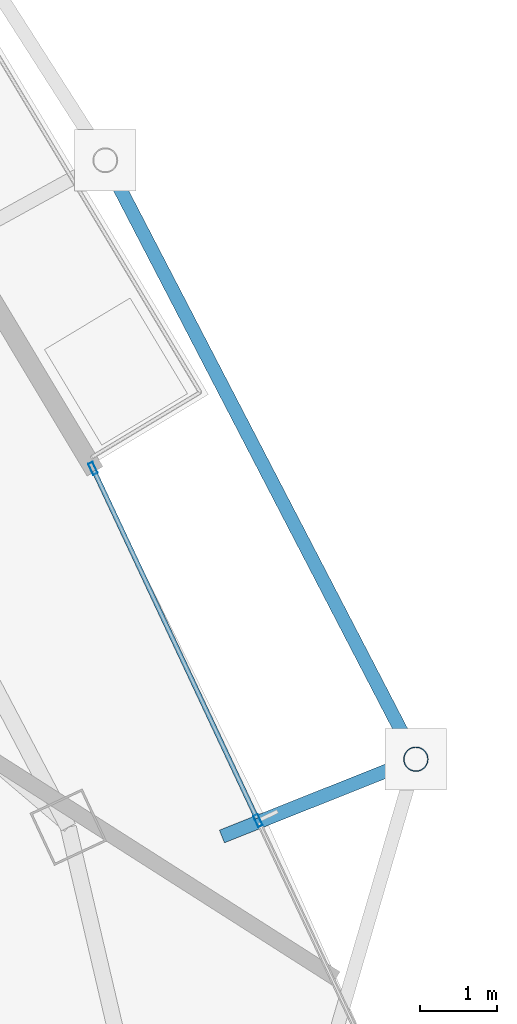
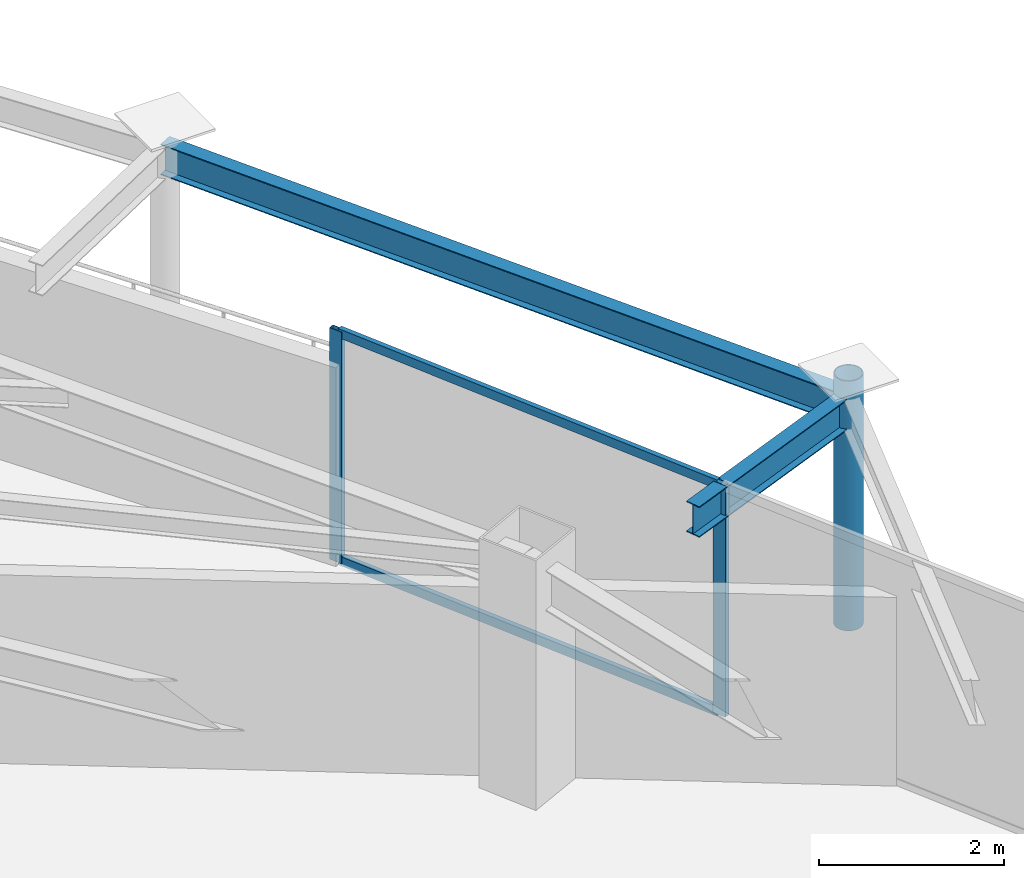
# One storey, part 20 of 33: 5 members, 2 beams, 1 element without a shape of its own.
"""IFC4 building model written with IfcOpenShell, lengths in metres."""

from ifc_helpers import new_model, si_unit, direction, frame, origin, origin_2d, place, context, subcontext, project, spatial, hollow_rectangle, hollow_circle, i_section, extrude, material, layer, layer_set, material_profile, profile_set, type_object, element, aggregate, save


model = new_model("IFC4")

# Units and contexts
model_context = context("Model", 3, precision=1e-05, world=origin(), true_north=direction((0.0, 1.0)))
body_context = subcontext(model_context, "Body", "Model", "MODEL_VIEW")
ifc_project = project(units=[si_unit("LENGTHUNIT", "METRE"), si_unit("AREAUNIT", "SQUARE_METRE"), si_unit("VOLUMEUNIT", "CUBIC_METRE"), si_unit("PLANEANGLEUNIT", "RADIAN"), si_unit("MASSUNIT", "GRAM", prefix="KILO")], contexts=[model_context])

# Site, building, storey
site_placement = place(None, origin())
site = spatial("IfcSite", under=ifc_project, at=site_placement, CompositionType="ELEMENT")
building_placement = place(site_placement, origin())
building = spatial("IfcBuilding", under=site, at=building_placement, Name="Orvanel Arch Residences", CompositionType="ELEMENT")
storey_placement = place(building_placement, frame((0.0, 0.0, 212.89990234375)))
storey = spatial("IfcBuildingStorey", under=building, at=storey_placement, Name="L60", CompositionType="ELEMENT", Elevation=212.89990234375)

# Curtain wall, members
ifc_material_1 = material(Name="Bronze-anodised aluminium AA6063-T6", Category="aluminium")
ifc_layer = layer(ifc_material_1, 0.175048828125)
ifc_layer_set = layer_set([ifc_layer], Name="Bronze-anodised aluminium AA6063-T6")
curtain_wall_type = type_object("IfcCurtainWallType", Name="CW4-HI-SYS", PredefinedType="NOTDEFINED", material=ifc_layer_set)
curtain_wall_placement = place(storey_placement, origin())
curtain_wall = element("IfcCurtainWall", 1, at=curtain_wall_placement, inside=storey, type_object=curtain_wall_type, Name="L60 CW4-HI-SYS Unitised Curtain Wall", PredefinedType="NOTDEFINED")
ifc_material_profile_1 = material_profile(ifc_material_1, hollow_rectangle(XDim=0.06494140625, YDim=0.159912109375, WallThickness=0.00390625, at=origin_2d()), Name="ALU160x65x4")
ifc_profile_set_1 = profile_set([ifc_material_profile_1], Name="Bronze-anodised aluminium AA6063-T6")
member_type_1 = type_object("IfcMemberType", Name="MUL-160x65", PredefinedType="MULLION", material=ifc_profile_set_1)
member_1_placement = place(storey_placement, frame((52.10205078125, 19.7275390625, 0.0), z_axis=(0.0, 0.0, 1.0), x_axis=(-0.905502538529, -0.424340844978, 0.0)))
member_1 = element("IfcMember", 2, at=member_1_placement, type_object=member_type_1, Name="CW-S4 mullion 2", PredefinedType="MULLION", context=body_context, shape_type="SweptSolid", body=[
    extrude(hollow_rectangle(XDim=0.06494140625, YDim=0.159912109375, WallThickness=0.00390625, at=origin_2d()), origin(), (0.0, 0.0, 1.0), 3.06005859375),
])
member_2_placement = place(storey_placement, frame((49.953857421875, 24.3115234375, 0.0), z_axis=(0.0, 0.0, 1.0), x_axis=(-0.905502538529, -0.424340844978, 0.0)))
member_2 = element("IfcMember", 3, at=member_2_placement, type_object=member_type_1, Name="CW-S4 mullion 3", PredefinedType="MULLION", context=body_context, shape_type="SweptSolid", body=[
    extrude(hollow_rectangle(XDim=0.06494140625, YDim=0.159912109375, WallThickness=0.00390625, at=origin_2d()), origin(), (0.0, 0.0, 1.0), 3.06005859375),
])

# Beams
ifc_material_2 = material(Name="Structural steel AS/NZS 3679.1 Grade 300 (300 MPa)", Category="steel")
ifc_material_profile_2 = material_profile(ifc_material_2, i_section(OverallWidth=0.177978515625, OverallDepth=0.406005859375, WebThickness=0.0078125, FlangeThickness=0.0126953125, at=origin_2d()), Name="410UB59.7")
ifc_profile_set_2 = profile_set([ifc_material_profile_2], Name="Structural steel AS/NZS 3679.1 Grade 300 (300 MPa)")
beam_type = type_object("IfcBeamType", Name="OB-410UB-EXT", PredefinedType="SPANDREL", material=ifc_profile_set_2)
beam_1_placement = place(storey_placement, frame((51.632080078125, 19.52099609375, 2.857177734375), z_axis=(0.928965273599, 0.370166881889, 0.0), x_axis=(-0.370166881889, 0.928965273599, 0.0)))
element("IfcBeam", 4, at=beam_1_placement, inside=storey, type_object=beam_type, Name="L60 Outer Frame Radial Tie Beam 09", PredefinedType="SPANDREL", context=body_context, shape_type="SweptSolid", body=[
    extrude(i_section(OverallWidth=0.177978515625, OverallDepth=0.406005859375, WebThickness=0.0078125, FlangeThickness=0.0126953125, at=origin_2d()), origin(), (0.0, 0.0, 1.0), 2.718017578125),
])
beam_2_placement = place(storey_placement, frame((54.156982421875, 20.527099609375, 2.857177734375), z_axis=(-0.460333396268, 0.887746114765, 0.0), x_axis=(-0.887746114765, -0.460333396268, 0.0)))
element("IfcBeam", 5, at=beam_2_placement, inside=storey, type_object=beam_type, Name="L60 Outer Perimeter Floor Ring Beam 09", PredefinedType="SPANDREL", context=body_context, shape_type="SweptSolid", body=[
    extrude(i_section(OverallWidth=0.177978515625, OverallDepth=0.406005859375, WebThickness=0.0078125, FlangeThickness=0.0126953125, at=origin_2d()), origin(), (0.0, 0.0, 1.0), 8.780517578125),
])

# Member
ifc_material_3 = material(Name="Structural steel AS/NZS 1163 C350L0 (Grade 350)", Category="steel")
ifc_material_profile_3 = material_profile(ifc_material_3, hollow_circle(Radius=0.162109375, WallThickness=0.0126953125, at=origin_2d()), Name="CHS324x12.7")
ifc_profile_set_3 = profile_set([ifc_material_profile_3], Name="Structural steel AS/NZS 1163 C350L0 (Grade 350)")
member_type_2 = type_object("IfcMemberType", Name="ST-324CHS-EXT", PredefinedType="STRUT", material=ifc_profile_set_3)
member_3_placement = place(storey_placement, frame((54.156982421875, 20.527099609375, 0.0), z_axis=(0.0, 0.0, 1.0), x_axis=(1.0, 0.0, 0.0)))
element("IfcMember", 6, at=member_3_placement, inside=storey, type_object=member_type_2, Name="L60 Outer Perimeter Frame Post 09", PredefinedType="STRUT", context=body_context, shape_type="SweptSolid", body=[
    extrude(hollow_circle(Radius=0.162109375, WallThickness=0.0126953125, at=origin_2d()), origin(), (0.0, 0.0, 1.0), 3.300048828125),
])

ifc_material_profile_4 = material_profile(ifc_material_1, hollow_rectangle(XDim=0.06005859375, YDim=0.1201171875, WallThickness=0.00341796875, at=origin_2d()), Name="ALU120x60x3.5")
ifc_profile_set_4 = profile_set([ifc_material_profile_4], Name="Bronze-anodised aluminium AA6063-T6")
member_type_3 = type_object("IfcMemberType", Name="TRN-120x60", PredefinedType="USERDEFINED", material=ifc_profile_set_4)
member_4_placement = place(storey_placement, frame((52.088134765625, 19.7568359375, 0.030029296875), z_axis=(-0.424323732422, 0.905510557699, 0.0), x_axis=(-0.905510557699, -0.424323732422, 0.0)))
member_4 = element("IfcMember", 7, at=member_4_placement, type_object=member_type_3, Name="CW-S4 transom 2.1", ObjectType="TRANSOM", PredefinedType="USERDEFINED", context=body_context, shape_type="SweptSolid", body=[
    extrude(hollow_rectangle(XDim=0.06005859375, YDim=0.1201171875, WallThickness=0.00341796875, at=origin_2d()), origin(), (0.0, 0.0, 1.0), 4.99755859375),
])

member_5_placement = place(storey_placement, frame((52.088134765625, 19.7568359375, 3.030029296875), z_axis=(-0.424323732422, 0.905510557699, 0.0), x_axis=(-0.905510557699, -0.424323732422, 0.0)))
member_5 = element("IfcMember", 8, at=member_5_placement, type_object=member_type_3, Name="CW-S4 transom 2.2", ObjectType="TRANSOM", PredefinedType="USERDEFINED", context=body_context, shape_type="SweptSolid", body=[
    extrude(hollow_rectangle(XDim=0.06005859375, YDim=0.1201171875, WallThickness=0.00341796875, at=origin_2d()), origin(), (0.0, 0.0, 1.0), 4.99755859375),
])

aggregate(curtain_wall, [member_1, member_2, member_4, member_5])

save(model, "model.ifc")
